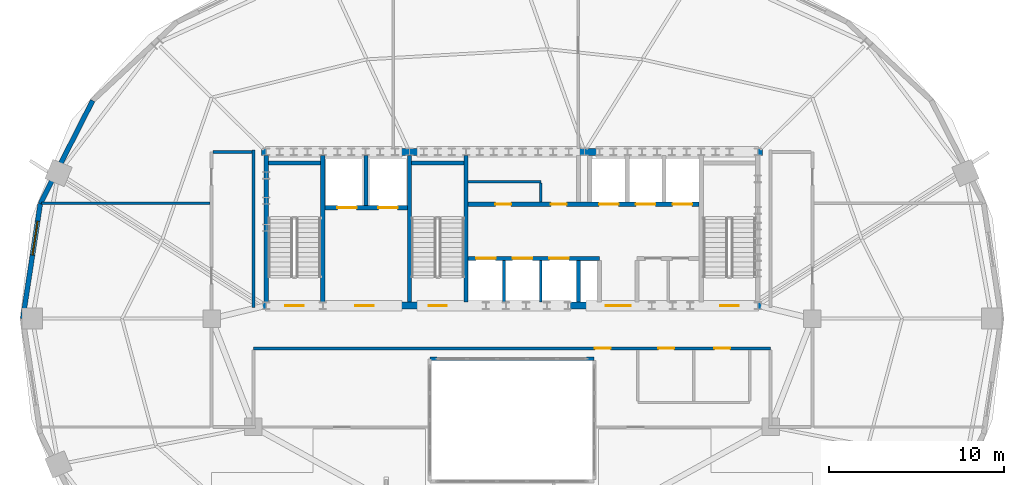
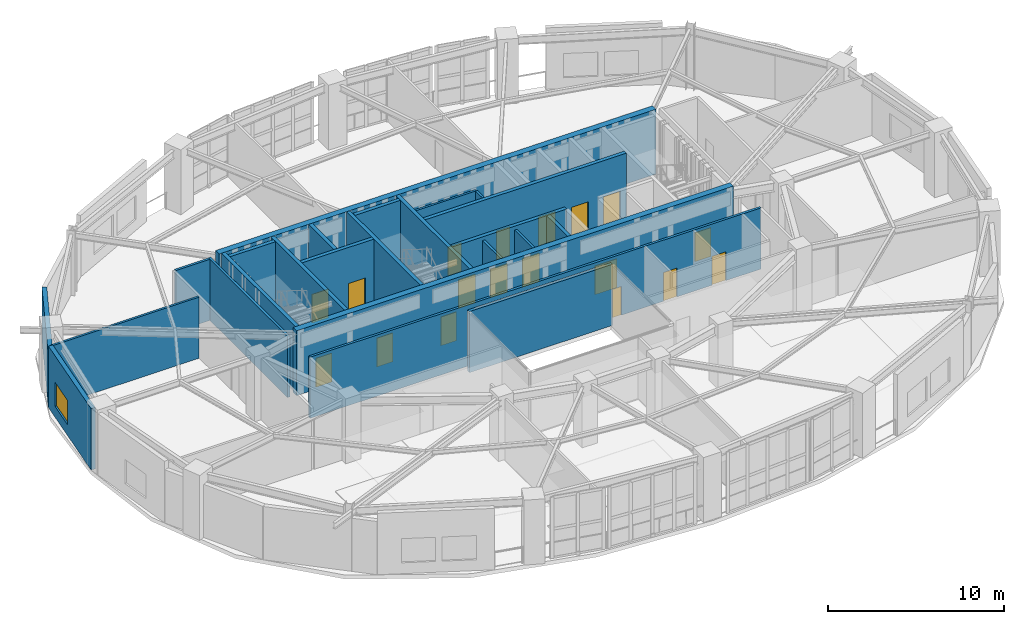
# One storey, part 11 of 16: 24 walls, 18 doors, 1 window, 19 openings.
"""IFC4 building model written with IfcOpenShell, lengths in metres."""

from ifc_helpers import new_model, si_unit, direction, frame, frame_2d, origin, place, context, subcontext, project, spatial, rectangle, extrude, material, layer, layer_set, type_object, element, fill, save


model = new_model("IFC4")

# Units and contexts
model_context = context("Model", 3, precision=1e-05, world=origin(), true_north=direction((0.0, 1.0)))
body_context = subcontext(model_context, "Body", "Model", "MODEL_VIEW")
ifc_project = project(units=[si_unit("LENGTHUNIT", "METRE"), si_unit("AREAUNIT", "SQUARE_METRE"), si_unit("VOLUMEUNIT", "CUBIC_METRE"), si_unit("PLANEANGLEUNIT", "RADIAN"), si_unit("MASSUNIT", "GRAM", prefix="KILO")], contexts=[model_context])

# Site, building, storey
site_placement = place(None, origin())
site = spatial("IfcSite", under=ifc_project, at=site_placement, CompositionType="ELEMENT")
building_placement = place(site_placement, origin())
building = spatial("IfcBuilding", under=site, at=building_placement, Name="Haldorwick Loom Tower", CompositionType="ELEMENT")
storey_placement = place(building_placement, frame((0.0, 0.0, 200.35009765625)))
storey = spatial("IfcBuildingStorey", under=building, at=storey_placement, Name="L54", CompositionType="ELEMENT", Elevation=200.35009765625)

# Wall
ifc_material_1 = material(Name="Pressed Clay Face Brick and Insulated Masonry Backup Assembly", Category="masonry")
ifc_layer_1 = layer(ifc_material_1, 0.280029296875, Name="Pressed Clay Face Brick and Insulated Masonry Backup Assembly", Category="masonry")
ifc_layer_set_1 = layer_set([ifc_layer_1], Name="Pressed Clay Face Brick and Insulated Masonry Backup Assembly")
wall_type_1 = type_object("IfcWallType", Name="ARC-WL-EXT280", PredefinedType="STANDARD", material=ifc_layer_set_1)
wall_1_placement = place(storey_placement, frame((11.994384765625, 38.4853515625, 0.0), z_axis=(0.0, 0.0, 1.0), x_axis=(-0.453032066879, -0.89149422117, 0.0)))
element("IfcWall", 1, at=wall_1_placement, inside=storey, type_object=wall_type_1, Name="L54 Brick Pier and Spandrel Wall 11", PredefinedType="STANDARD", context=body_context, shape_type="SweptSolid", body=[
    extrude(rectangle(XDim=6.618896484375, YDim=0.280029296875, at=frame_2d((3.3095703125, 0.0))), origin(), (0.0, 0.0, 1.0), 3.69091796875),
])

# Wall, opening, window
wall_2_placement = place(storey_placement, frame((8.995849609375, 32.584716796875, 0.0), z_axis=(0.0, 0.0, 1.0), x_axis=(-0.150467697578, -0.988614926038, 0.0)))
wall_2 = element("IfcWall", 2, at=wall_2_placement, inside=storey, type_object=wall_type_1, Name="L54 Brick Pier and Spandrel Wall 12", PredefinedType="STANDARD", context=body_context, shape_type="SweptSolid", body=[
    extrude(rectangle(XDim=6.66064453125, YDim=0.280029296875, at=frame_2d((3.330322265625, 0.0))), origin(), (0.0, 0.0, 1.0), 4.260009765625),
])
opening_1_placement = place(wall_2_placement, frame((1.023193359375, 0.0, 0.75)))
opening_1 = element("IfcOpeningElement", 3, at=opening_1_placement, cuts=wall_2, Name="Opening W-04B", PredefinedType="OPENING", context=body_context, shape_type="SweptSolid", body=[
    extrude(rectangle(XDim=1.949951171875, YDim=1.679931640625, at=frame_2d((0.97509765625, 0.83984375))), frame((0.0, 0.14990234375, 0.0), z_axis=(0.0, -1.0, 0.0), x_axis=(1.0, 0.0, 0.0)), (0.0, 0.0, 1.0), 0.300048828125),
])
ifc_material_2 = material(Name="Triple-Glazed Low-E Argon Insulated Glazing Unit", Category="glass")
window_type = type_object("IfcWindowType", Name="ARC-WIN-W195", PartitioningType="SINGLE_PANEL", PredefinedType="WINDOW", material=ifc_material_2)
window_placement = place(opening_1_placement, origin())
window = element("IfcWindow", 4, at=window_placement, inside=storey, type_object=window_type, Name="L54 Deep-Set Zone 7A Window 12", OverallHeight=1.679931640625, OverallWidth=1.949951171875, PartitioningType="SINGLE_PANEL", PredefinedType="WINDOW", context=body_context, shape_type="SweptSolid", body=[
    extrude(rectangle(XDim=1.949951171875, YDim=1.679931640625, at=frame_2d((0.97509765625, 0.83984375))), frame((0.0, 0.030029296875, 0.0), z_axis=(0.0, -1.0, 0.0), x_axis=(1.0, 0.0, 0.0)), (0.0, 0.0, 1.0), 0.06005859375),
])
fill(opening_1, window)

# Wall, openings, doors
ifc_material_3 = material(Name="Fire-Rated Type X Gypsum Stud Assembly EI 60")
ifc_layer_2 = layer(ifc_material_3, 0.159912109375, Name="Fire-Rated Type X Gypsum Stud Assembly EI 60")
ifc_layer_set_2 = layer_set([ifc_layer_2], Name="Fire-Rated Type X Gypsum Stud Assembly EI 60")
wall_type_2 = type_object("IfcWallType", Name="ARC-WL-FIRE160", PredefinedType="PARTITIONING", material=ifc_layer_set_2)
wall_3_placement = place(storey_placement, frame((21.199951171875, 24.300048828125, 0.0), z_axis=(0.0, 0.0, 1.0), x_axis=(1.0, 0.0, 0.0)))
wall_3 = element("IfcWall", 5, at=wall_3_placement, inside=storey, type_object=wall_type_2, Name="L54 Interior Partition L54-CS", PredefinedType="PARTITIONING", context=body_context, shape_type="SweptSolid", body=[
    extrude(rectangle(XDim=29.60009765625, YDim=0.159912109375, at=frame_2d((14.800048828125, 0.0))), origin(), (0.0, 0.0, 1.0), 4.244873046875),
])
opening_2_placement = place(wall_3_placement, frame((19.5400390625, 0.0, 0.0)))
opening_2 = element("IfcOpeningElement", 6, at=opening_2_placement, cuts=wall_3, Name="Opening D-FD60A", PredefinedType="OPENING", context=body_context, shape_type="SweptSolid", body=[
    extrude(rectangle(XDim=0.89990234375, YDim=2.0, at=frame_2d((0.449951171875, 1.0))), frame((0.0, 0.08984375, 0.0), z_axis=(0.0, -1.0, 0.0), x_axis=(1.0, 0.0, 0.0)), (0.0, 0.0, 1.0), 0.179931640625),
])
opening_3_placement = place(wall_3_placement, frame((26.388916015625, 0.0, 0.0)))
opening_3 = element("IfcOpeningElement", 7, at=opening_3_placement, cuts=wall_3, Name="Opening D-FD60A", PredefinedType="OPENING", context=body_context, shape_type="SweptSolid", body=[
    extrude(rectangle(XDim=0.89990234375, YDim=2.0, at=frame_2d((0.449951171875, 1.0))), frame((0.0, 0.08984375, 0.0), z_axis=(0.0, -1.0, 0.0), x_axis=(1.0, 0.0, 0.0)), (0.0, 0.0, 1.0), 0.179931640625),
])
opening_4_placement = place(wall_3_placement, frame((23.185791015625, 0.0, 0.0)))
opening_4 = element("IfcOpeningElement", 8, at=opening_4_placement, cuts=wall_3, Name="Opening D-FD60A", PredefinedType="OPENING", context=body_context, shape_type="SweptSolid", body=[
    extrude(rectangle(XDim=0.89990234375, YDim=2.0, at=frame_2d((0.449951171875, 1.0))), frame((0.0, 0.08984375, 0.0), z_axis=(0.0, -1.0, 0.0), x_axis=(1.0, 0.0, 0.0)), (0.0, 0.0, 1.0), 0.179931640625),
])
ifc_material_4 = material(Name="Hollow Steel Fire Door Assembly", Category="steel")
door_type_1 = type_object("IfcDoorType", Name="ARC-DR-FD60-90", OperationType="NOTDEFINED", PredefinedType="DOOR", material=ifc_material_4)
door_1_placement = place(opening_2_placement, origin())
door_1 = element("IfcDoor", 9, at=door_1_placement, inside=storey, type_object=door_type_1, Name="L54 L54 Central Transfer Corridor to Community Dining Hall 3 Door", OperationType="SINGLE_SWING_LEFT", OverallHeight=2.0, OverallWidth=0.89990234375, PredefinedType="DOOR", context=body_context, shape_type="SweptSolid", body=[
    extrude(rectangle(XDim=0.89990234375, YDim=2.0, at=frame_2d((0.449951171875, 1.0))), frame((0.0, 0.02490234375, 0.0), z_axis=(0.0, -1.0, 0.0), x_axis=(1.0, 0.0, 0.0)), (0.0, 0.0, 1.0), 0.050048828125),
])
fill(opening_2, door_1)
door_2_placement = place(opening_3_placement, origin())
door_2 = element("IfcDoor", 10, at=door_2_placement, inside=storey, type_object=door_type_1, Name="L54 L54 Central Transfer Corridor to Accessible WC Door", OperationType="SINGLE_SWING_RIGHT", OverallHeight=2.0, OverallWidth=0.89990234375, PredefinedType="DOOR", context=body_context, shape_type="SweptSolid", body=[
    extrude(rectangle(XDim=0.89990234375, YDim=2.0, at=frame_2d((0.449951171875, 1.0))), frame((0.0, 0.02490234375, 0.0), z_axis=(0.0, -1.0, 0.0), x_axis=(1.0, 0.0, 0.0)), (0.0, 0.0, 1.0), 0.050048828125),
])
fill(opening_3, door_2)
door_3_placement = place(opening_4_placement, origin())
door_3 = element("IfcDoor", 11, at=door_3_placement, inside=storey, type_object=door_type_1, Name="L54 L54 Central Transfer Corridor to Public Washroom Door", OperationType="SINGLE_SWING_LEFT", OverallHeight=2.0, OverallWidth=0.89990234375, PredefinedType="DOOR", context=body_context, shape_type="SweptSolid", body=[
    extrude(rectangle(XDim=0.89990234375, YDim=2.0, at=frame_2d((0.449951171875, 1.0))), frame((0.0, 0.02490234375, 0.0), z_axis=(0.0, -1.0, 0.0), x_axis=(1.0, 0.0, 0.0)), (0.0, 0.0, 1.0), 0.050048828125),
])
fill(opening_4, door_3)

# Walls
wall_4_placement = place(storey_placement, frame((21.199951171875, 26.64990234375, 0.0), z_axis=(0.0, 0.0, 1.0), x_axis=(0.0, 1.0, 0.0)))
element("IfcWall", 12, at=wall_4_placement, inside=storey, type_object=wall_type_2, Name="L54 Interior Partition L54-CW2", PredefinedType="PARTITIONING", context=body_context, shape_type="SweptSolid", body=[
    extrude(rectangle(XDim=9.0, YDim=0.159912109375, at=frame_2d((4.5, 0.0))), origin(), (0.0, 0.0, 1.0), 4.244873046875),
])
wall_5_placement = place(storey_placement, frame((18.883056640625, 35.550048828125, 0.0), z_axis=(0.0, 0.0, 1.0), x_axis=(1.0, 0.0, 0.0)))
element("IfcWall", 13, at=wall_5_placement, inside=storey, type_object=wall_type_2, Name="L54 Interior Partition L54-CWN", PredefinedType="PARTITIONING", context=body_context, shape_type="SweptSolid", body=[
    extrude(rectangle(XDim=2.23388671875, YDim=0.159912109375, at=frame_2d((1.116943359375, 0.0))), origin(), (0.0, 0.0, 1.0), 4.244873046875),
])
ifc_material_5 = material(Name="Fire-Rated Type X Gypsum Stud Assembly EI 120")
ifc_layer_3 = layer(ifc_material_5, 0.199951171875, Name="Fire-Rated Type X Gypsum Stud Assembly EI 120")
ifc_layer_set_3 = layer_set([ifc_layer_3], Name="Fire-Rated Type X Gypsum Stud Assembly EI 120")
wall_type_3 = type_object("IfcWallType", Name="ARC-WL-FIRE200", PredefinedType="PARTITIONING", material=ifc_layer_set_3)
wall_6_placement = place(storey_placement, frame((31.300048828125, 23.699951171875, 0.0), z_axis=(0.0, 0.0, 1.0), x_axis=(1.0, 0.0, 0.0)))
element("IfcWall", 14, at=wall_6_placement, inside=storey, type_object=wall_type_3, Name="L54 Atrium Fire Wall", PredefinedType="PARTITIONING", context=body_context, shape_type="SweptSolid", body=[
    extrude(rectangle(XDim=9.39990234375, YDim=0.199951171875, at=frame_2d((4.699951171875, 0.0))), origin(), (0.0, 0.0, 1.0), 4.244873046875),
])
ifc_layer_4 = layer(ifc_material_3, 0.139892578125, Name="Fire-Rated Type X Gypsum Stud Assembly EI 60")
ifc_layer_set_4 = layer_set([ifc_layer_4], Name="Fire-Rated Type X Gypsum Stud Assembly EI 60")
wall_type_4 = type_object("IfcWallType", Name="ARC-WL-PART140", PredefinedType="PARTITIONING", material=ifc_layer_set_4)
wall_7_placement = place(storey_placement, frame((33.492919921875, 33.85009765625, 0.0), z_axis=(0.0, 0.0, 1.0), x_axis=(1.0, 0.0, 0.0)))
element("IfcWall", 15, at=wall_7_placement, inside=storey, type_object=wall_type_4, Name="L54 Storage South Partition", PredefinedType="PARTITIONING", context=body_context, shape_type="SweptSolid", body=[
    extrude(rectangle(XDim=4.156982421875, YDim=0.139892578125, at=frame_2d((2.07861328125, 0.0))), origin(), (0.0, 0.0, 1.0), 4.244873046875),
])
wall_8_placement = place(storey_placement, frame((37.64990234375, 32.673095703125, 0.0), z_axis=(0.0, 0.0, 1.0), x_axis=(0.0, 1.0, 0.0)))
element("IfcWall", 16, at=wall_8_placement, inside=storey, type_object=wall_type_4, Name="L54 Storage East Partition", PredefinedType="PARTITIONING", context=body_context, shape_type="SweptSolid", body=[
    extrude(rectangle(XDim=1.10400390625, YDim=0.139892578125, at=frame_2d((0.552001953125, 0.0))), origin(), (0.0, 0.0, 1.0), 4.244873046875),
])
wall_9_placement = place(storey_placement, frame((9.05419921875, 32.60009765625, 0.0), z_axis=(0.0, 0.0, 1.0), x_axis=(1.0, 0.0, 0.0)))
element("IfcWall", 17, at=wall_9_placement, inside=storey, type_object=wall_type_4, Name="L54 Interior Partition L54-WL-N", PredefinedType="PARTITIONING", context=body_context, shape_type="SweptSolid", body=[
    extrude(rectangle(XDim=9.662841796875, YDim=0.139892578125, at=frame_2d((4.83154296875, 0.0))), origin(), (0.0, 0.0, 1.0), 4.244873046875),
])
ifc_layer_5 = layer(ifc_material_5, 0.1650390625, Name="Fire-Rated Type X Gypsum Stud Assembly EI 120")
ifc_layer_set_5 = layer_set([ifc_layer_5], Name="Fire-Rated Type X Gypsum Stud Assembly EI 120")
wall_type_5 = type_object("IfcWallType", Name="ARC-WL-SHAFT160", PredefinedType="MOVABLE", material=ifc_layer_set_5)
for number, where, z_axis, x_axis, name in (
    (18, (35.550048828125, 26.952880859375, 0.0), (0.0, 0.0, 1.0), (0.0, 1.0, 0.0), "L54 Mid-Rise Hoistway Divider 1"),
    (19, (37.64990234375, 26.952880859375, 0.0), (0.0, 0.0, 1.0), (0.0, 1.0, 0.0), "L54 Mid-Rise Hoistway Divider 2"),
):
    element("IfcWall", number, at=place(storey_placement, frame(where, z_axis=z_axis, x_axis=x_axis)), inside=storey, type_object=wall_type_5, Name=name, PredefinedType="MOVABLE", context=body_context, shape_type="SweptSolid", body=[
        extrude(rectangle(XDim=2.3740234375, YDim=0.159912109375, at=frame_2d((1.18701171875, 0.0))), origin(), (0.0, 0.0, 1.0), 4.244873046875),
    ])

# Wall, openings, doors
ifc_material_6 = material(Name="Concrete C50 (50 MPa)", Category="concrete")
ifc_layer_6 = layer(ifc_material_6, 0.39990234375, Name="Concrete C50 (50 MPa)", Category="concrete")
ifc_layer_set_6 = layer_set([ifc_layer_6], Name="Concrete C50 (50 MPa)")
wall_type_6 = type_object("IfcWallType", Name="STR-WL-CORE400", PredefinedType="SHEAR", material=ifc_layer_set_6)
wall_10_placement = place(storey_placement, frame((21.64990234375, 26.75, 0.0), z_axis=(0.0, 0.0, 1.0), x_axis=(1.0, 0.0, 0.0)))
wall_10 = element("IfcWall", 20, at=wall_10_placement, inside=storey, type_object=wall_type_6, Name="L54 Core Shear Wall S", PredefinedType="SHEAR", context=body_context, shape_type="SweptSolid", body=[
    extrude(rectangle(XDim=28.7001953125, YDim=0.39990234375, at=frame_2d((14.35009765625, 0.0))), origin(), (0.0, 0.0, 1.0), 4.5),
])
opening_5_placement = place(wall_10_placement, frame((1.375, 0.0, 0.0)))
opening_5 = element("IfcOpeningElement", 21, at=opening_5_placement, cuts=wall_10, Name="Opening D-FD60", PredefinedType="OPENING", context=body_context, shape_type="SweptSolid", body=[
    extrude(rectangle(XDim=1.050048828125, YDim=2.0, at=frame_2d((0.52490234375, 1.0))), frame((0.0, 0.2099609375, 0.0), z_axis=(0.0, -1.0, 0.0), x_axis=(1.0, 0.0, 0.0)), (0.0, 0.0, 1.0), 0.419921875),
])
opening_6_placement = place(wall_10_placement, frame((5.375, 0.0, 0.0)))
opening_6 = element("IfcOpeningElement", 22, at=opening_6_placement, cuts=wall_10, Name="Opening D-FD60", PredefinedType="OPENING", context=body_context, shape_type="SweptSolid", body=[
    extrude(rectangle(XDim=1.050048828125, YDim=2.0, at=frame_2d((0.52490234375, 1.0))), frame((0.0, 0.2099609375, 0.0), z_axis=(0.0, -1.0, 0.0), x_axis=(1.0, 0.0, 0.0)), (0.0, 0.0, 1.0), 0.419921875),
])
opening_7_placement = place(wall_10_placement, frame((9.574951171875, 0.0, 0.0)))
opening_7 = element("IfcOpeningElement", 23, at=opening_7_placement, cuts=wall_10, Name="Opening D-FD60", PredefinedType="OPENING", context=body_context, shape_type="SweptSolid", body=[
    extrude(rectangle(XDim=1.050048828125, YDim=2.0, at=frame_2d((0.52490234375, 1.0))), frame((0.0, 0.2099609375, 0.0), z_axis=(0.0, -1.0, 0.0), x_axis=(1.0, 0.0, 0.0)), (0.0, 0.0, 1.0), 0.419921875),
])
opening_8_placement = place(wall_10_placement, frame((19.705078125, 0.0, 0.0)))
opening_8 = element("IfcOpeningElement", 24, at=opening_8_placement, cuts=wall_10, Name="Opening D-LB15", PredefinedType="OPENING", context=body_context, shape_type="SweptSolid", body=[
    extrude(rectangle(XDim=1.449951171875, YDim=2.0, at=frame_2d((0.72509765625, 1.0))), frame((0.0, 0.2099609375, 0.0), z_axis=(0.0, -1.0, 0.0), x_axis=(1.0, 0.0, 0.0)), (0.0, 0.0, 1.0), 0.419921875),
])
opening_9_placement = place(wall_10_placement, frame((26.27490234375, 0.0, 0.0)))
opening_9 = element("IfcOpeningElement", 25, at=opening_9_placement, cuts=wall_10, Name="Opening D-FD60", PredefinedType="OPENING", context=body_context, shape_type="SweptSolid", body=[
    extrude(rectangle(XDim=1.050048828125, YDim=2.0, at=frame_2d((0.52490234375, 1.0))), frame((0.0, 0.2099609375, 0.0), z_axis=(0.0, -1.0, 0.0), x_axis=(1.0, 0.0, 0.0)), (0.0, 0.0, 1.0), 0.419921875),
])
door_type_2 = type_object("IfcDoorType", Name="ARC-DR-FD60", OperationType="NOTDEFINED", PredefinedType="DOOR", material=ifc_material_4)
door_4_placement = place(opening_5_placement, origin())
door_4 = element("IfcDoor", 26, at=door_4_placement, inside=storey, type_object=door_type_2, Name="L54 Exit Stair ST-01 Fire Door", OperationType="SINGLE_SWING_RIGHT", OverallHeight=2.0, OverallWidth=1.050048828125, PredefinedType="DOOR", context=body_context, shape_type="SweptSolid", body=[
    extrude(rectangle(XDim=1.050048828125, YDim=2.0, at=frame_2d((0.52490234375, 1.0))), frame((0.0, 0.02490234375, 0.0), z_axis=(0.0, -1.0, 0.0), x_axis=(1.0, 0.0, 0.0)), (0.0, 0.0, 1.0), 0.050048828125),
])
fill(opening_5, door_4)
door_5_placement = place(opening_6_placement, origin())
door_5 = element("IfcDoor", 27, at=door_5_placement, inside=storey, type_object=door_type_2, Name="L54 Firefighting Lift Lobby Fire Door", OperationType="SINGLE_SWING_LEFT", OverallHeight=2.0, OverallWidth=1.050048828125, PredefinedType="DOOR", context=body_context, shape_type="SweptSolid", body=[
    extrude(rectangle(XDim=1.050048828125, YDim=2.0, at=frame_2d((0.52490234375, 1.0))), frame((0.0, 0.02490234375, 0.0), z_axis=(0.0, -1.0, 0.0), x_axis=(1.0, 0.0, 0.0)), (0.0, 0.0, 1.0), 0.050048828125),
])
fill(opening_6, door_5)
door_6_placement = place(opening_7_placement, origin())
door_6 = element("IfcDoor", 28, at=door_6_placement, inside=storey, type_object=door_type_2, Name="L54 Exit Stair ST-03 Fire Door", OperationType="SINGLE_SWING_LEFT", OverallHeight=2.0, OverallWidth=1.050048828125, PredefinedType="DOOR", context=body_context, shape_type="SweptSolid", body=[
    extrude(rectangle(XDim=1.050048828125, YDim=2.0, at=frame_2d((0.52490234375, 1.0))), frame((0.0, 0.02490234375, 0.0), z_axis=(0.0, -1.0, 0.0), x_axis=(1.0, 0.0, 0.0)), (0.0, 0.0, 1.0), 0.050048828125),
])
fill(opening_7, door_6)
door_7_placement = place(opening_9_placement, origin())
door_7 = element("IfcDoor", 29, at=door_7_placement, inside=storey, type_object=door_type_2, Name="L54 Exit Stair ST-02 Fire Door", OperationType="SINGLE_SWING_LEFT", OverallHeight=2.0, OverallWidth=1.050048828125, PredefinedType="DOOR", context=body_context, shape_type="SweptSolid", body=[
    extrude(rectangle(XDim=1.050048828125, YDim=2.0, at=frame_2d((0.52490234375, 1.0))), frame((0.0, 0.02490234375, 0.0), z_axis=(0.0, -1.0, 0.0), x_axis=(1.0, 0.0, 0.0)), (0.0, 0.0, 1.0), 0.050048828125),
])
fill(opening_9, door_7)
ifc_material_7 = material(Name="Thermally Broken Anodized Aluminium and Tempered Glass", Category="aluminium")
door_type_3 = type_object("IfcDoorType", Name="ARC-DR-LOB150", OperationType="NOTDEFINED", PredefinedType="DOOR", material=ifc_material_7)
door_8_placement = place(opening_8_placement, frame((1.449951171875, 0.0, 0.0), z_axis=(0.0, 0.0, 1.0), x_axis=(-1.0, 0.0, 0.0)))
door_8 = element("IfcDoor", 30, at=door_8_placement, inside=storey, type_object=door_type_3, Name="L54 Passenger Lift Lobby Fire Door", OperationType="DOUBLE_DOOR_SINGLE_SWING", OverallHeight=2.0, OverallWidth=1.449951171875, PredefinedType="DOOR", context=body_context, shape_type="SweptSolid", body=[
    extrude(rectangle(XDim=1.449951171875, YDim=2.0, at=frame_2d((0.72509765625, 1.0))), frame((0.0, 0.02490234375, 0.0), z_axis=(0.0, -1.0, 0.0), x_axis=(1.0, 0.0, 0.0)), (0.0, 0.0, 1.0), 0.050048828125),
])
fill(opening_8, door_8)

# Walls
wall_11_placement = place(storey_placement, frame((50.35009765625, 35.550048828125, 0.0), z_axis=(0.0, 0.0, 1.0), x_axis=(-1.0, 0.0, 0.0)))
element("IfcWall", 31, at=wall_11_placement, inside=storey, type_object=wall_type_6, Name="L54 Core Shear Wall N", PredefinedType="SHEAR", context=body_context, shape_type="SweptSolid", body=[
    extrude(rectangle(XDim=28.7001953125, YDim=0.39990234375, at=frame_2d((14.35009765625, 0.0))), origin(), (0.0, 0.0, 1.0), 4.5),
])
ifc_layer_7 = layer(ifc_material_6, 0.239990234375, Name="Concrete C50 (50 MPa)", Category="concrete")
ifc_layer_set_7 = layer_set([ifc_layer_7], Name="Concrete C50 (50 MPa)")
wall_type_7 = type_object("IfcWallType", Name="STR-WL-SHAFT240", PredefinedType="SHEAR", material=ifc_layer_set_7)
for number, where, z_axis, x_axis, name in (
    (32, (21.929931640625, 35.346923828125, 0.0), (0.0, 0.0, 1.0), (0.0, -1.0, 0.0), "L54 Core Shear Wall W"),
    (33, (25.169921875, 26.952880859375, 0.0), (0.0, 0.0, 1.0), (0.0, 1.0, 0.0), "L54 Core Shear Wall 1"),
):
    element("IfcWall", number, at=place(storey_placement, frame(where, z_axis=z_axis, x_axis=x_axis)), inside=storey, type_object=wall_type_7, Name=name, PredefinedType="SHEAR", context=body_context, shape_type="SweptSolid", body=[
        extrude(rectangle(XDim=8.39404296875, YDim=0.239990234375, at=frame_2d((4.197021484375, 0.0))), origin(), (0.0, 0.0, 1.0), 4.5),
    ])
wall_12_placement = place(storey_placement, frame((22.052978515625, 34.919921875, 0.0), z_axis=(0.0, 0.0, 1.0), x_axis=(1.0, 0.0, 0.0)))
element("IfcWall", 34, at=wall_12_placement, inside=storey, type_object=wall_type_7, Name="L54 Core Shear Wall 1N", PredefinedType="SHEAR", context=body_context, shape_type="SweptSolid", body=[
    extrude(rectangle(XDim=2.994140625, YDim=0.239990234375, at=frame_2d((1.4970703125, 0.0))), origin(), (0.0, 0.0, 1.0), 4.5),
])
for number, where, z_axis, x_axis, name in (
    (35, (30.1298828125, 26.952880859375, 0.0), (0.0, 0.0, 1.0), (0.0, 1.0, 0.0), "L54 Core Shear Wall 2"),
    (36, (33.3701171875, 26.952880859375, 0.0), (0.0, 0.0, 1.0), (0.0, 1.0, 0.0), "L54 Core Shear Wall 3"),
):
    element("IfcWall", number, at=place(storey_placement, frame(where, z_axis=z_axis, x_axis=x_axis)), inside=storey, type_object=wall_type_7, Name=name, PredefinedType="SHEAR", context=body_context, shape_type="SweptSolid", body=[
        extrude(rectangle(XDim=8.39404296875, YDim=0.239990234375, at=frame_2d((4.197021484375, 0.0))), origin(), (0.0, 0.0, 1.0), 4.5),
    ])
wall_13_placement = place(storey_placement, frame((30.2529296875, 34.919921875, 0.0), z_axis=(0.0, 0.0, 1.0), x_axis=(1.0, 0.0, 0.0)))
element("IfcWall", 37, at=wall_13_placement, inside=storey, type_object=wall_type_7, Name="L54 Core Shear Wall 3N", PredefinedType="SHEAR", context=body_context, shape_type="SweptSolid", body=[
    extrude(rectangle(XDim=2.994140625, YDim=0.239990234375, at=frame_2d((1.4970703125, 0.0))), origin(), (0.0, 0.0, 1.0), 4.5),
])

# Wall, openings, doors
wall_14_placement = place(storey_placement, frame((25.29296875, 32.35009765625, 0.0), z_axis=(0.0, 0.0, 1.0), x_axis=(1.0, 0.0, 0.0)))
wall_14 = element("IfcWall", 38, at=wall_14_placement, inside=storey, type_object=wall_type_7, Name="L54 Core Shear Wall FF", PredefinedType="SHEAR", context=body_context, shape_type="SweptSolid", body=[
    extrude(rectangle(XDim=4.714111328125, YDim=0.239990234375, at=frame_2d((2.35693359375, 0.0))), origin(), (0.0, 0.0, 1.0), 4.5),
])
opening_10_placement = place(wall_14_placement, frame((0.70703125, 0.0, 0.0)))
opening_10 = element("IfcOpeningElement", 39, at=opening_10_placement, cuts=wall_14, Name="Opening LD-FF1", PredefinedType="OPENING", context=body_context, shape_type="SweptSolid", body=[
    extrude(rectangle(XDim=1.10009765625, YDim=2.0, at=frame_2d((0.550048828125, 1.0))), frame((0.0, 0.1298828125, 0.0), z_axis=(0.0, -1.0, 0.0), x_axis=(1.0, 0.0, 0.0)), (0.0, 0.0, 1.0), 0.260009765625),
])
opening_11_placement = place(wall_14_placement, frame((3.056884765625, 0.0, 0.0)))
opening_11 = element("IfcOpeningElement", 40, at=opening_11_placement, cuts=wall_14, Name="Opening LD-FF2", PredefinedType="OPENING", context=body_context, shape_type="SweptSolid", body=[
    extrude(rectangle(XDim=1.10009765625, YDim=2.0, at=frame_2d((0.550048828125, 1.0))), frame((0.0, 0.1298828125, 0.0), z_axis=(0.0, -1.0, 0.0), x_axis=(1.0, 0.0, 0.0)), (0.0, 0.0, 1.0), 0.260009765625),
])
door_type_4 = type_object("IfcDoorType", Name="ARC-DR-LD-FF", OperationType="NOTDEFINED", PredefinedType="USERDEFINED", material=ifc_material_4)
door_9_placement = place(opening_10_placement, origin())
door_9 = element("IfcDoor", 41, at=door_9_placement, inside=storey, type_object=door_type_4, Name="L54 Lift LF-FF1 Sliding Landing Door", ObjectType="LANDING DOOR", OperationType="DOUBLE_DOOR_SLIDING", OverallHeight=2.0, OverallWidth=1.10009765625, PredefinedType="USERDEFINED", context=body_context, shape_type="SweptSolid", body=[
    extrude(rectangle(XDim=1.10009765625, YDim=2.0, at=frame_2d((0.550048828125, 1.0))), frame((0.0, 0.02490234375, 0.0), z_axis=(0.0, -1.0, 0.0), x_axis=(1.0, 0.0, 0.0)), (0.0, 0.0, 1.0), 0.050048828125),
])
fill(opening_10, door_9)
door_10_placement = place(opening_11_placement, origin())
door_10 = element("IfcDoor", 42, at=door_10_placement, inside=storey, type_object=door_type_4, Name="L54 Lift LF-FF2 Sliding Landing Door", ObjectType="LANDING DOOR", OperationType="DOUBLE_DOOR_SLIDING", OverallHeight=2.0, OverallWidth=1.10009765625, PredefinedType="USERDEFINED", context=body_context, shape_type="SweptSolid", body=[
    extrude(rectangle(XDim=1.10009765625, YDim=2.0, at=frame_2d((0.550048828125, 1.0))), frame((0.0, 0.02490234375, 0.0), z_axis=(0.0, -1.0, 0.0), x_axis=(1.0, 0.0, 0.0)), (0.0, 0.0, 1.0), 0.050048828125),
])
fill(opening_11, door_10)

# Wall
wall_15_placement = place(storey_placement, frame((27.64990234375, 32.472900390625, 0.0), z_axis=(0.0, 0.0, 1.0), x_axis=(0.0, 1.0, 0.0)))
element("IfcWall", 43, at=wall_15_placement, inside=storey, type_object=wall_type_7, Name="L54 Core Shear Wall FFD", PredefinedType="SHEAR", context=body_context, shape_type="SweptSolid", body=[
    extrude(rectangle(XDim=2.8740234375, YDim=0.239990234375, at=frame_2d((1.43701171875, 0.0))), origin(), (0.0, 0.0, 1.0), 4.5),
])

# Wall, openings, doors
wall_16_placement = place(storey_placement, frame((33.492919921875, 32.550048828125, 0.0), z_axis=(0.0, 0.0, 1.0), x_axis=(1.0, 0.0, 0.0)))
wall_16 = element("IfcWall", 44, at=wall_16_placement, inside=storey, type_object=wall_type_7, Name="L54 Core Shear Wall LN", PredefinedType="SHEAR", context=body_context, shape_type="SweptSolid", body=[
    extrude(rectangle(XDim=13.214111328125, YDim=0.239990234375, at=frame_2d((6.60693359375, 0.0))), origin(), (0.0, 0.0, 1.0), 4.5),
])
opening_12_placement = place(wall_16_placement, frame((1.556884765625, 0.0, 0.0)))
opening_12 = element("IfcOpeningElement", 45, at=opening_12_placement, cuts=wall_16, Name="Opening D-FD60A", PredefinedType="OPENING", context=body_context, shape_type="SweptSolid", body=[
    extrude(rectangle(XDim=0.89990234375, YDim=2.0, at=frame_2d((0.449951171875, 1.0))), frame((0.0, 0.1298828125, 0.0), z_axis=(0.0, -1.0, 0.0), x_axis=(1.0, 0.0, 0.0)), (0.0, 0.0, 1.0), 0.260009765625),
])
opening_13_placement = place(wall_16_placement, frame((4.737060546875, 0.0, 0.0)))
opening_13 = element("IfcOpeningElement", 46, at=opening_13_placement, cuts=wall_16, Name="Opening D-FD60A", PredefinedType="OPENING", context=body_context, shape_type="SweptSolid", body=[
    extrude(rectangle(XDim=0.89990234375, YDim=2.0, at=frame_2d((0.449951171875, 1.0))), frame((0.0, 0.1298828125, 0.0), z_axis=(0.0, -1.0, 0.0), x_axis=(1.0, 0.0, 0.0)), (0.0, 0.0, 1.0), 0.260009765625),
])
opening_14_placement = place(wall_16_placement, frame((7.4970703125, 0.0, 0.0)))
opening_14 = element("IfcOpeningElement", 47, at=opening_14_placement, cuts=wall_16, Name="Opening LD-H1", PredefinedType="OPENING", context=body_context, shape_type="SweptSolid", body=[
    extrude(rectangle(XDim=1.1201171875, YDim=2.0, at=frame_2d((0.56005859375, 1.0))), frame((0.0, 0.1298828125, 0.0), z_axis=(0.0, -1.0, 0.0), x_axis=(1.0, 0.0, 0.0)), (0.0, 0.0, 1.0), 0.260009765625),
])
opening_15_placement = place(wall_16_placement, frame((9.596923828125, 0.0, 0.0)))
opening_15 = element("IfcOpeningElement", 48, at=opening_15_placement, cuts=wall_16, Name="Opening LD-H2", PredefinedType="OPENING", context=body_context, shape_type="SweptSolid", body=[
    extrude(rectangle(XDim=1.1201171875, YDim=2.0, at=frame_2d((0.56005859375, 1.0))), frame((0.0, 0.1298828125, 0.0), z_axis=(0.0, -1.0, 0.0), x_axis=(1.0, 0.0, 0.0)), (0.0, 0.0, 1.0), 0.260009765625),
])
opening_16_placement = place(wall_16_placement, frame((11.697021484375, 0.0, 0.0)))
opening_16 = element("IfcOpeningElement", 49, at=opening_16_placement, cuts=wall_16, Name="Opening LD-H3", PredefinedType="OPENING", context=body_context, shape_type="SweptSolid", body=[
    extrude(rectangle(XDim=1.1201171875, YDim=2.0, at=frame_2d((0.56005859375, 1.0))), frame((0.0, 0.1298828125, 0.0), z_axis=(0.0, -1.0, 0.0), x_axis=(1.0, 0.0, 0.0)), (0.0, 0.0, 1.0), 0.260009765625),
])
door_11_placement = place(opening_12_placement, frame((0.89990234375, 0.0, 0.0), z_axis=(0.0, 0.0, 1.0), x_axis=(-1.0, 0.0, 0.0)))
door_11 = element("IfcDoor", 50, at=door_11_placement, inside=storey, type_object=door_type_1, Name="L54 Resident Storage Door", OperationType="SINGLE_SWING_LEFT", OverallHeight=2.0, OverallWidth=0.89990234375, PredefinedType="DOOR", context=body_context, shape_type="SweptSolid", body=[
    extrude(rectangle(XDim=0.89990234375, YDim=2.0, at=frame_2d((0.449951171875, 1.0))), frame((0.0, 0.02490234375, 0.0), z_axis=(0.0, -1.0, 0.0), x_axis=(1.0, 0.0, 0.0)), (0.0, 0.0, 1.0), 0.050048828125),
])
fill(opening_12, door_11)
door_12_placement = place(opening_13_placement, frame((0.89990234375, 0.0, 0.0), z_axis=(0.0, 0.0, 1.0), x_axis=(-1.0, 0.0, 0.0)))
door_12 = element("IfcDoor", 51, at=door_12_placement, inside=storey, type_object=door_type_1, Name="L54 Laundry Door", OperationType="SINGLE_SWING_RIGHT", OverallHeight=2.0, OverallWidth=0.89990234375, PredefinedType="DOOR", context=body_context, shape_type="SweptSolid", body=[
    extrude(rectangle(XDim=0.89990234375, YDim=2.0, at=frame_2d((0.449951171875, 1.0))), frame((0.0, 0.02490234375, 0.0), z_axis=(0.0, -1.0, 0.0), x_axis=(1.0, 0.0, 0.0)), (0.0, 0.0, 1.0), 0.050048828125),
])
fill(opening_13, door_12)
door_type_5 = type_object("IfcDoorType", Name="ARC-DR-LD-PAX", OperationType="NOTDEFINED", PredefinedType="USERDEFINED", material=ifc_material_4)
door_13_placement = place(opening_14_placement, origin())
door_13 = element("IfcDoor", 52, at=door_13_placement, inside=storey, type_object=door_type_5, Name="L54 Lift LF-H1 Sliding Landing Door", ObjectType="LANDING DOOR", OperationType="DOUBLE_DOOR_SLIDING", OverallHeight=2.0, OverallWidth=1.1201171875, PredefinedType="USERDEFINED", context=body_context, shape_type="SweptSolid", body=[
    extrude(rectangle(XDim=1.1201171875, YDim=2.0, at=frame_2d((0.56005859375, 1.0))), frame((0.0, 0.02490234375, 0.0), z_axis=(0.0, -1.0, 0.0), x_axis=(1.0, 0.0, 0.0)), (0.0, 0.0, 1.0), 0.050048828125),
])
fill(opening_14, door_13)
door_14_placement = place(opening_15_placement, origin())
door_14 = element("IfcDoor", 53, at=door_14_placement, inside=storey, type_object=door_type_5, Name="L54 Lift LF-H2 Sliding Landing Door", ObjectType="LANDING DOOR", OperationType="DOUBLE_DOOR_SLIDING", OverallHeight=2.0, OverallWidth=1.1201171875, PredefinedType="USERDEFINED", context=body_context, shape_type="SweptSolid", body=[
    extrude(rectangle(XDim=1.1201171875, YDim=2.0, at=frame_2d((0.56005859375, 1.0))), frame((0.0, 0.02490234375, 0.0), z_axis=(0.0, -1.0, 0.0), x_axis=(1.0, 0.0, 0.0)), (0.0, 0.0, 1.0), 0.050048828125),
])
fill(opening_15, door_14)
door_15_placement = place(opening_16_placement, origin())
door_15 = element("IfcDoor", 54, at=door_15_placement, inside=storey, type_object=door_type_5, Name="L54 Lift LF-H3 Sliding Landing Door", ObjectType="LANDING DOOR", OperationType="DOUBLE_DOOR_SLIDING", OverallHeight=2.0, OverallWidth=1.1201171875, PredefinedType="USERDEFINED", context=body_context, shape_type="SweptSolid", body=[
    extrude(rectangle(XDim=1.1201171875, YDim=2.0, at=frame_2d((0.56005859375, 1.0))), frame((0.0, 0.02490234375, 0.0), z_axis=(0.0, -1.0, 0.0), x_axis=(1.0, 0.0, 0.0)), (0.0, 0.0, 1.0), 0.050048828125),
])
fill(opening_16, door_15)

wall_17_placement = place(storey_placement, frame((33.492919921875, 29.449951171875, 0.0), z_axis=(0.0, 0.0, 1.0), x_axis=(1.0, 0.0, 0.0)))
wall_17 = element("IfcWall", 55, at=wall_17_placement, inside=storey, type_object=wall_type_7, Name="L54 Core Shear Wall LS1", PredefinedType="SHEAR", context=body_context, shape_type="SweptSolid", body=[
    extrude(rectangle(XDim=7.507080078125, YDim=0.239990234375, at=frame_2d((3.75341796875, 0.0))), origin(), (0.0, 0.0, 1.0), 4.5),
])
opening_17_placement = place(wall_17_placement, frame((0.447021484375, 0.0, 0.0)))
opening_17 = element("IfcOpeningElement", 56, at=opening_17_placement, cuts=wall_17, Name="Opening LD-M1", PredefinedType="OPENING", context=body_context, shape_type="SweptSolid", body=[
    extrude(rectangle(XDim=1.1201171875, YDim=2.0, at=frame_2d((0.56005859375, 1.0))), frame((0.0, 0.1298828125, 0.0), z_axis=(0.0, -1.0, 0.0), x_axis=(1.0, 0.0, 0.0)), (0.0, 0.0, 1.0), 0.260009765625),
])
opening_18_placement = place(wall_17_placement, frame((2.547119140625, 0.0, 0.0)))
opening_18 = element("IfcOpeningElement", 57, at=opening_18_placement, cuts=wall_17, Name="Opening LD-M2", PredefinedType="OPENING", context=body_context, shape_type="SweptSolid", body=[
    extrude(rectangle(XDim=1.1201171875, YDim=2.0, at=frame_2d((0.56005859375, 1.0))), frame((0.0, 0.1298828125, 0.0), z_axis=(0.0, -1.0, 0.0), x_axis=(1.0, 0.0, 0.0)), (0.0, 0.0, 1.0), 0.260009765625),
])
opening_19_placement = place(wall_17_placement, frame((4.64697265625, 0.0, 0.0)))
opening_19 = element("IfcOpeningElement", 58, at=opening_19_placement, cuts=wall_17, Name="Opening LD-M3", PredefinedType="OPENING", context=body_context, shape_type="SweptSolid", body=[
    extrude(rectangle(XDim=1.1201171875, YDim=2.0, at=frame_2d((0.56005859375, 1.0))), frame((0.0, 0.1298828125, 0.0), z_axis=(0.0, -1.0, 0.0), x_axis=(1.0, 0.0, 0.0)), (0.0, 0.0, 1.0), 0.260009765625),
])
door_16_placement = place(opening_17_placement, origin())
door_16 = element("IfcDoor", 59, at=door_16_placement, inside=storey, type_object=door_type_5, Name="L54 Lift LF-M1 Sliding Landing Door", ObjectType="LANDING DOOR", OperationType="DOUBLE_DOOR_SLIDING", OverallHeight=2.0, OverallWidth=1.1201171875, PredefinedType="USERDEFINED", context=body_context, shape_type="SweptSolid", body=[
    extrude(rectangle(XDim=1.1201171875, YDim=2.0, at=frame_2d((0.56005859375, 1.0))), frame((0.0, 0.02490234375, 0.0), z_axis=(0.0, -1.0, 0.0), x_axis=(1.0, 0.0, 0.0)), (0.0, 0.0, 1.0), 0.050048828125),
])
fill(opening_17, door_16)
door_17_placement = place(opening_18_placement, origin())
door_17 = element("IfcDoor", 60, at=door_17_placement, inside=storey, type_object=door_type_5, Name="L54 Lift LF-M2 Sliding Landing Door", ObjectType="LANDING DOOR", OperationType="DOUBLE_DOOR_SLIDING", OverallHeight=2.0, OverallWidth=1.1201171875, PredefinedType="USERDEFINED", context=body_context, shape_type="SweptSolid", body=[
    extrude(rectangle(XDim=1.1201171875, YDim=2.0, at=frame_2d((0.56005859375, 1.0))), frame((0.0, 0.02490234375, 0.0), z_axis=(0.0, -1.0, 0.0), x_axis=(1.0, 0.0, 0.0)), (0.0, 0.0, 1.0), 0.050048828125),
])
fill(opening_18, door_17)
door_18_placement = place(opening_19_placement, origin())
door_18 = element("IfcDoor", 61, at=door_18_placement, inside=storey, type_object=door_type_5, Name="L54 Lift LF-M3 Sliding Landing Door", ObjectType="LANDING DOOR", OperationType="DOUBLE_DOOR_SLIDING", OverallHeight=2.0, OverallWidth=1.1201171875, PredefinedType="USERDEFINED", context=body_context, shape_type="SweptSolid", body=[
    extrude(rectangle(XDim=1.1201171875, YDim=2.0, at=frame_2d((0.56005859375, 1.0))), frame((0.0, 0.02490234375, 0.0), z_axis=(0.0, -1.0, 0.0), x_axis=(1.0, 0.0, 0.0)), (0.0, 0.0, 1.0), 0.050048828125),
])
fill(opening_19, door_18)

# Wall
wall_18_placement = place(storey_placement, frame((39.800048828125, 26.952880859375, 0.0), z_axis=(0.0, 0.0, 1.0), x_axis=(0.0, 1.0, 0.0)))
element("IfcWall", 62, at=wall_18_placement, inside=storey, type_object=wall_type_7, Name="L54 Core Shear Wall MRW", PredefinedType="SHEAR", context=body_context, shape_type="SweptSolid", body=[
    extrude(rectangle(XDim=2.3740234375, YDim=0.239990234375, at=frame_2d((1.18701171875, 0.0))), origin(), (0.0, 0.0, 1.0), 4.5),
])

save(model, "model.ifc")
